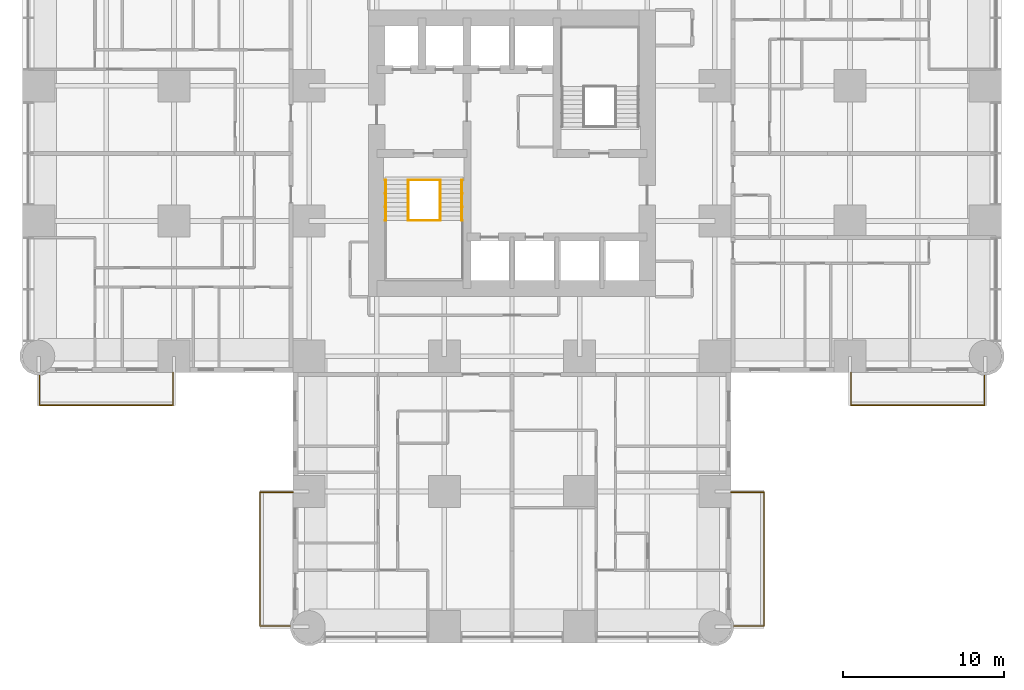
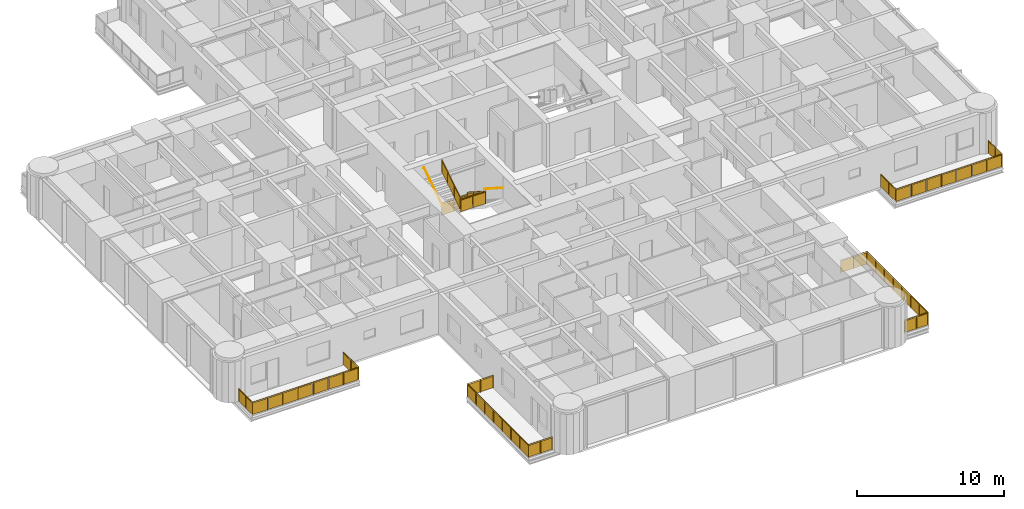
# One storey, part 16 of 17: 10 railings.
"""IFC4 building model written with IfcOpenShell, lengths in metres."""

from ifc_helpers import new_model, si_unit, direction, frame, origin, origin_2d, place, context, subcontext, project, spatial, polyline, circle, outline, extrude, material, constituent, constituent_set, type_object, element, save


model = new_model("IFC4")

# Units and contexts
model_context = context("Model", 3, precision=1e-05, world=origin(), true_north=direction((0.0, 1.0)))
body_context = subcontext(model_context, "Body", "Model", "MODEL_VIEW")
ifc_project = project(units=[si_unit("LENGTHUNIT", "METRE"), si_unit("AREAUNIT", "SQUARE_METRE"), si_unit("VOLUMEUNIT", "CUBIC_METRE"), si_unit("PLANEANGLEUNIT", "RADIAN"), si_unit("MASSUNIT", "GRAM", prefix="KILO")], contexts=[model_context])

# Site, building, storey
site_placement = place(None, origin())
site = spatial("IfcSite", under=ifc_project, at=site_placement, CompositionType="ELEMENT")
building_placement = place(site_placement, origin())
building = spatial("IfcBuilding", under=site, at=building_placement, Name="Torre Alcanfor", CompositionType="ELEMENT")
storey_placement = place(building_placement, frame((0.0, 0.0, 99.300048828125)))
storey = spatial("IfcBuildingStorey", under=building, at=storey_placement, Name="L25", CompositionType="ELEMENT", Elevation=99.300048828125)

# Railings
ifc_material_1 = material(Name="Laminated safety glass", Category="glass")
ifc_constituent_1 = constituent(ifc_material_1, Name="Infill")
ifc_material_2 = material(Name="Stainless steel ASTM A554 Grade MT 316L tube", Category="steel")
ifc_constituent_2 = constituent(ifc_material_2, Name="Posts and rail")
ifc_constituent_set = constituent_set(constituents=[ifc_constituent_1, ifc_constituent_2], Name="Balcony guard glass 1100")
railing_type_1 = type_object("IfcRailingType", Name="Balcony guard glass 1100", PredefinedType="BALUSTRADE", material=ifc_constituent_set)
railing_1_placement = place(storey_placement, frame((50.449951171875, 15.800048828125, 0.0)))
element("IfcRailing", 1, at=railing_1_placement, inside=storey, type_object=railing_type_1, Name="Balcony guard L25-E2", PredefinedType="BALUSTRADE", context=body_context, shape_type="SweptSolid", body=[
    extrude(circle(Radius=0.02392578125, at=origin_2d()), frame((0.0, 0.0, 1.076171875), z_axis=(0.0, -1.0, 0.0), x_axis=(1.0, 0.0, 0.0)), (0.0, 0.0, 1.0), 2.050048828125),
    extrude(circle(Radius=0.02392578125, at=origin_2d()), frame((0.0, -2.050048828125, 1.076171875), z_axis=(1.0, 0.0, 0.0), x_axis=(0.0, 1.0, 0.0)), (0.0, 0.0, 1.0), 8.300048828125),
    extrude(circle(Radius=0.02392578125, at=origin_2d()), frame((8.300048828125, -2.050048828125, 1.076171875), z_axis=(0.0, 1.0, 0.0), x_axis=(-1.0, 0.0, 0.0)), (0.0, 0.0, 1.0), 1.868896484375),
    extrude(circle(Radius=0.02099609375, at=origin_2d()), origin(), (0.0, 0.0, 1.0), 1.052001953125),
    extrude(circle(Radius=0.02099609375, at=origin_2d()), frame((0.0, -1.02490234375, 0.0)), (0.0, 0.0, 1.0), 1.052001953125),
    extrude(circle(Radius=0.02099609375, at=origin_2d()), frame((0.0, -2.050048828125, 0.0)), (0.0, 0.0, 1.0), 1.052001953125),
    extrude(circle(Radius=0.02099609375, at=origin_2d()), frame((1.185791015625, -2.050048828125, 0.0)), (0.0, 0.0, 1.0), 1.052001953125),
    extrude(circle(Radius=0.02099609375, at=origin_2d()), frame((2.371337890625, -2.050048828125, 0.0)), (0.0, 0.0, 1.0), 1.052001953125),
    extrude(circle(Radius=0.02099609375, at=origin_2d()), frame((3.55712890625, -2.050048828125, 0.0)), (0.0, 0.0, 1.0), 1.052001953125),
    extrude(circle(Radius=0.02099609375, at=origin_2d()), frame((4.742919921875, -2.050048828125, 0.0)), (0.0, 0.0, 1.0), 1.052001953125),
    extrude(circle(Radius=0.02099609375, at=origin_2d()), frame((5.9287109375, -2.050048828125, 0.0)), (0.0, 0.0, 1.0), 1.052001953125),
    extrude(circle(Radius=0.02099609375, at=origin_2d()), frame((7.1142578125, -2.050048828125, 0.0)), (0.0, 0.0, 1.0), 1.052001953125),
    extrude(circle(Radius=0.02099609375, at=origin_2d()), frame((8.300048828125, -2.050048828125, 0.0)), (0.0, 0.0, 1.0), 1.052001953125),
    extrude(circle(Radius=0.02099609375, at=origin_2d()), frame((8.300048828125, -1.11572265625, 0.0)), (0.0, 0.0, 1.0), 1.052001953125),
    extrude(circle(Radius=0.02099609375, at=origin_2d()), frame((8.300048828125, -0.18115234375, 0.0)), (0.0, 0.0, 1.0), 1.052001953125),
    extrude(outline(polyline([(0.041015625, 0.050048828125), (0.984130859375, 0.050048828125), (0.984130859375, 1.001953125), (0.041015625, 1.001953125), (0.041015625, 0.050048828125)])), frame((0.005859375, 0.0, 0.0), z_axis=(-1.0, 0.0, 0.0), x_axis=(0.0, -1.0, 0.0)), (0.0, 0.0, 1.0), 0.011962890625),
    extrude(outline(polyline([(1.06591796875, 0.050048828125), (2.009033203125, 0.050048828125), (2.009033203125, 1.001953125), (1.06591796875, 1.001953125), (1.06591796875, 0.050048828125)])), frame((0.005859375, 0.0, 0.0), z_axis=(-1.0, 0.0, 0.0), x_axis=(0.0, -1.0, 0.0)), (0.0, 0.0, 1.0), 0.011962890625),
    extrude(outline(polyline([(0.041015625, 0.050048828125), (1.144775390625, 0.050048828125), (1.144775390625, 1.001953125), (0.041015625, 1.001953125), (0.041015625, 0.050048828125)])), frame((0.0, -2.0439453125, 0.0), z_axis=(0.0, -1.0, 0.0), x_axis=(1.0, 0.0, 0.0)), (0.0, 0.0, 1.0), 0.011962890625),
    extrude(outline(polyline([(1.226806640625, 0.050048828125), (2.330322265625, 0.050048828125), (2.330322265625, 1.001953125), (1.226806640625, 1.001953125), (1.226806640625, 0.050048828125)])), frame((0.0, -2.0439453125, 0.0), z_axis=(0.0, -1.0, 0.0), x_axis=(1.0, 0.0, 0.0)), (0.0, 0.0, 1.0), 0.011962890625),
    extrude(outline(polyline([(2.412353515625, 0.050048828125), (3.51611328125, 0.050048828125), (3.51611328125, 1.001953125), (2.412353515625, 1.001953125), (2.412353515625, 0.050048828125)])), frame((0.0, -2.0439453125, 0.0), z_axis=(0.0, -1.0, 0.0), x_axis=(1.0, 0.0, 0.0)), (0.0, 0.0, 1.0), 0.011962890625),
    extrude(outline(polyline([(3.59814453125, 0.050048828125), (4.701904296875, 0.050048828125), (4.701904296875, 1.001953125), (3.59814453125, 1.001953125), (3.59814453125, 0.050048828125)])), frame((0.0, -2.0439453125, 0.0), z_axis=(0.0, -1.0, 0.0), x_axis=(1.0, 0.0, 0.0)), (0.0, 0.0, 1.0), 0.011962890625),
    extrude(outline(polyline([(4.783935546875, 0.050048828125), (5.8876953125, 0.050048828125), (5.8876953125, 1.001953125), (4.783935546875, 1.001953125), (4.783935546875, 0.050048828125)])), frame((0.0, -2.0439453125, 0.0), z_axis=(0.0, -1.0, 0.0), x_axis=(1.0, 0.0, 0.0)), (0.0, 0.0, 1.0), 0.011962890625),
    extrude(outline(polyline([(5.9697265625, 0.050048828125), (7.0732421875, 0.050048828125), (7.0732421875, 1.001953125), (5.9697265625, 1.001953125), (5.9697265625, 0.050048828125)])), frame((0.0, -2.0439453125, 0.0), z_axis=(0.0, -1.0, 0.0), x_axis=(1.0, 0.0, 0.0)), (0.0, 0.0, 1.0), 0.011962890625),
    extrude(outline(polyline([(7.1552734375, 0.050048828125), (8.259033203125, 0.050048828125), (8.259033203125, 1.001953125), (7.1552734375, 1.001953125), (7.1552734375, 0.050048828125)])), frame((0.0, -2.0439453125, 0.0), z_axis=(0.0, -1.0, 0.0), x_axis=(1.0, 0.0, 0.0)), (0.0, 0.0, 1.0), 0.011962890625),
    extrude(outline(polyline([(0.041015625, 0.050048828125), (0.8935546875, 0.050048828125), (0.8935546875, 1.001953125), (0.041015625, 1.001953125), (0.041015625, 0.050048828125)])), frame((8.2939453125, -2.050048828125, 0.0), z_axis=(1.0, 0.0, 0.0), x_axis=(0.0, 1.0, 0.0)), (0.0, 0.0, 1.0), 0.011962890625),
    extrude(outline(polyline([(0.975341796875, 0.050048828125), (1.827880859375, 0.050048828125), (1.827880859375, 1.001953125), (0.975341796875, 1.001953125), (0.975341796875, 0.050048828125)])), frame((8.2939453125, -2.050048828125, 0.0), z_axis=(1.0, 0.0, 0.0), x_axis=(0.0, 1.0, 0.0)), (0.0, 0.0, 1.0), 0.011962890625),
])
railing_2_placement = place(storey_placement, frame((43.0, 8.35009765625, 0.0)))
element("IfcRailing", 2, at=railing_2_placement, inside=storey, type_object=railing_type_1, Name="Balcony guard L25-S1", PredefinedType="BALUSTRADE", context=body_context, shape_type="SweptSolid", body=[
    extrude(circle(Radius=0.02392578125, at=origin_2d()), frame((0.0, 0.0, 1.076171875), z_axis=(1.0, 0.0, 0.0), x_axis=(0.0, 1.0, 0.0)), (0.0, 0.0, 1.0), 2.050048828125),
    extrude(circle(Radius=0.02392578125, at=origin_2d()), frame((2.050048828125, 0.0, 1.076171875), z_axis=(0.0, -1.0, 0.0), x_axis=(1.0, 0.0, 0.0)), (0.0, 0.0, 1.0), 8.300048828125),
    extrude(circle(Radius=0.02392578125, at=origin_2d()), frame((2.050048828125, -8.300048828125, 1.076171875), z_axis=(-1.0, 0.0, 0.0), x_axis=(0.0, -1.0, 0.0)), (0.0, 0.0, 1.0), 1.869140625),
    extrude(circle(Radius=0.02099609375, at=origin_2d()), origin(), (0.0, 0.0, 1.0), 1.052001953125),
    extrude(circle(Radius=0.02099609375, at=origin_2d()), frame((1.02490234375, 0.0, 0.0)), (0.0, 0.0, 1.0), 1.052001953125),
    extrude(circle(Radius=0.02099609375, at=origin_2d()), frame((2.050048828125, 0.0, 0.0)), (0.0, 0.0, 1.0), 1.052001953125),
    extrude(circle(Radius=0.02099609375, at=origin_2d()), frame((2.050048828125, -1.185791015625, 0.0)), (0.0, 0.0, 1.0), 1.052001953125),
    extrude(circle(Radius=0.02099609375, at=origin_2d()), frame((2.050048828125, -2.371337890625, 0.0)), (0.0, 0.0, 1.0), 1.052001953125),
    extrude(circle(Radius=0.02099609375, at=origin_2d()), frame((2.050048828125, -3.55712890625, 0.0)), (0.0, 0.0, 1.0), 1.052001953125),
    extrude(circle(Radius=0.02099609375, at=origin_2d()), frame((2.050048828125, -4.742919921875, 0.0)), (0.0, 0.0, 1.0), 1.052001953125),
    extrude(circle(Radius=0.02099609375, at=origin_2d()), frame((2.050048828125, -5.9287109375, 0.0)), (0.0, 0.0, 1.0), 1.052001953125),
    extrude(circle(Radius=0.02099609375, at=origin_2d()), frame((2.050048828125, -7.1142578125, 0.0)), (0.0, 0.0, 1.0), 1.052001953125),
    extrude(circle(Radius=0.02099609375, at=origin_2d()), frame((2.050048828125, -8.300048828125, 0.0)), (0.0, 0.0, 1.0), 1.052001953125),
    extrude(circle(Radius=0.02099609375, at=origin_2d()), frame((1.115478515625, -8.300048828125, 0.0)), (0.0, 0.0, 1.0), 1.052001953125),
    extrude(circle(Radius=0.02099609375, at=origin_2d()), frame((0.180908203125, -8.300048828125, 0.0)), (0.0, 0.0, 1.0), 1.052001953125),
    extrude(outline(polyline([(0.041015625, 0.050048828125), (0.984130859375, 0.050048828125), (0.984130859375, 1.001953125), (0.041015625, 1.001953125), (0.041015625, 0.050048828125)])), frame((0.0, 0.005859375, 0.0), z_axis=(0.0, -1.0, 0.0), x_axis=(1.0, 0.0, 0.0)), (0.0, 0.0, 1.0), 0.011962890625),
    extrude(outline(polyline([(1.06591796875, 0.050048828125), (2.009033203125, 0.050048828125), (2.009033203125, 1.001953125), (1.06591796875, 1.001953125), (1.06591796875, 0.050048828125)])), frame((0.0, 0.005859375, 0.0), z_axis=(0.0, -1.0, 0.0), x_axis=(1.0, 0.0, 0.0)), (0.0, 0.0, 1.0), 0.011962890625),
    extrude(outline(polyline([(0.041015625, 0.050048828125), (1.144775390625, 0.050048828125), (1.144775390625, 1.001953125), (0.041015625, 1.001953125), (0.041015625, 0.050048828125)])), frame((2.05615234375, 0.0, 0.0), z_axis=(-1.0, 0.0, 0.0), x_axis=(0.0, -1.0, 0.0)), (0.0, 0.0, 1.0), 0.011962890625),
    extrude(outline(polyline([(1.226806640625, 0.050048828125), (2.330322265625, 0.050048828125), (2.330322265625, 1.001953125), (1.226806640625, 1.001953125), (1.226806640625, 0.050048828125)])), frame((2.05615234375, 0.0, 0.0), z_axis=(-1.0, 0.0, 0.0), x_axis=(0.0, -1.0, 0.0)), (0.0, 0.0, 1.0), 0.011962890625),
    extrude(outline(polyline([(2.412353515625, 0.050048828125), (3.51611328125, 0.050048828125), (3.51611328125, 1.001953125), (2.412353515625, 1.001953125), (2.412353515625, 0.050048828125)])), frame((2.05615234375, 0.0, 0.0), z_axis=(-1.0, 0.0, 0.0), x_axis=(0.0, -1.0, 0.0)), (0.0, 0.0, 1.0), 0.011962890625),
    extrude(outline(polyline([(3.59814453125, 0.050048828125), (4.701904296875, 0.050048828125), (4.701904296875, 1.001953125), (3.59814453125, 1.001953125), (3.59814453125, 0.050048828125)])), frame((2.05615234375, 0.0, 0.0), z_axis=(-1.0, 0.0, 0.0), x_axis=(0.0, -1.0, 0.0)), (0.0, 0.0, 1.0), 0.011962890625),
    extrude(outline(polyline([(4.783935546875, 0.050048828125), (5.8876953125, 0.050048828125), (5.8876953125, 1.001953125), (4.783935546875, 1.001953125), (4.783935546875, 0.050048828125)])), frame((2.05615234375, 0.0, 0.0), z_axis=(-1.0, 0.0, 0.0), x_axis=(0.0, -1.0, 0.0)), (0.0, 0.0, 1.0), 0.011962890625),
    extrude(outline(polyline([(5.9697265625, 0.050048828125), (7.0732421875, 0.050048828125), (7.0732421875, 1.001953125), (5.9697265625, 1.001953125), (5.9697265625, 0.050048828125)])), frame((2.05615234375, 0.0, 0.0), z_axis=(-1.0, 0.0, 0.0), x_axis=(0.0, -1.0, 0.0)), (0.0, 0.0, 1.0), 0.011962890625),
    extrude(outline(polyline([(7.1552734375, 0.050048828125), (8.259033203125, 0.050048828125), (8.259033203125, 1.001953125), (7.1552734375, 1.001953125), (7.1552734375, 0.050048828125)])), frame((2.05615234375, 0.0, 0.0), z_axis=(-1.0, 0.0, 0.0), x_axis=(0.0, -1.0, 0.0)), (0.0, 0.0, 1.0), 0.011962890625),
    extrude(outline(polyline([(0.041015625, 0.050048828125), (0.8935546875, 0.050048828125), (0.8935546875, 1.001953125), (0.041015625, 1.001953125), (0.041015625, 0.050048828125)])), frame((2.050048828125, -8.30615234375, 0.0), z_axis=(0.0, 1.0, 0.0), x_axis=(-1.0, 0.0, 0.0)), (0.0, 0.0, 1.0), 0.011962890625),
    extrude(outline(polyline([(0.9755859375, 0.050048828125), (1.828125, 0.050048828125), (1.828125, 1.001953125), (0.9755859375, 1.001953125), (0.9755859375, 0.050048828125)])), frame((2.050048828125, -8.30615234375, 0.0), z_axis=(0.0, 1.0, 0.0), x_axis=(-1.0, 0.0, 0.0)), (0.0, 0.0, 1.0), 0.011962890625),
])
railing_3_placement = place(storey_placement, frame((15.800048828125, 8.35009765625, 0.0)))
element("IfcRailing", 3, at=railing_3_placement, inside=storey, type_object=railing_type_1, Name="Balcony guard L25-S2", PredefinedType="BALUSTRADE", context=body_context, shape_type="SweptSolid", body=[
    extrude(circle(Radius=0.02392578125, at=origin_2d()), frame((0.0, 0.0, 1.076171875), z_axis=(-1.0, 0.0, 0.0), x_axis=(0.0, -1.0, 0.0)), (0.0, 0.0, 1.0), 2.050048828125),
    extrude(circle(Radius=0.02392578125, at=origin_2d()), frame((-2.050048828125, 0.0, 1.076171875), z_axis=(0.0, -1.0, 0.0), x_axis=(1.0, 0.0, 0.0)), (0.0, 0.0, 1.0), 8.300048828125),
    extrude(circle(Radius=0.02392578125, at=origin_2d()), frame((-2.050048828125, -8.300048828125, 1.076171875), z_axis=(1.0, 0.0, 0.0), x_axis=(0.0, 1.0, 0.0)), (0.0, 0.0, 1.0), 1.868896484375),
    extrude(circle(Radius=0.02099609375, at=origin_2d()), origin(), (0.0, 0.0, 1.0), 1.052001953125),
    extrude(circle(Radius=0.02099609375, at=origin_2d()), frame((-1.02490234375, 0.0, 0.0)), (0.0, 0.0, 1.0), 1.052001953125),
    extrude(circle(Radius=0.02099609375, at=origin_2d()), frame((-2.050048828125, 0.0, 0.0)), (0.0, 0.0, 1.0), 1.052001953125),
    extrude(circle(Radius=0.02099609375, at=origin_2d()), frame((-2.050048828125, -1.185791015625, 0.0)), (0.0, 0.0, 1.0), 1.052001953125),
    extrude(circle(Radius=0.02099609375, at=origin_2d()), frame((-2.050048828125, -2.371337890625, 0.0)), (0.0, 0.0, 1.0), 1.052001953125),
    extrude(circle(Radius=0.02099609375, at=origin_2d()), frame((-2.050048828125, -3.55712890625, 0.0)), (0.0, 0.0, 1.0), 1.052001953125),
    extrude(circle(Radius=0.02099609375, at=origin_2d()), frame((-2.050048828125, -4.742919921875, 0.0)), (0.0, 0.0, 1.0), 1.052001953125),
    extrude(circle(Radius=0.02099609375, at=origin_2d()), frame((-2.050048828125, -5.9287109375, 0.0)), (0.0, 0.0, 1.0), 1.052001953125),
    extrude(circle(Radius=0.02099609375, at=origin_2d()), frame((-2.050048828125, -7.1142578125, 0.0)), (0.0, 0.0, 1.0), 1.052001953125),
    extrude(circle(Radius=0.02099609375, at=origin_2d()), frame((-2.050048828125, -8.300048828125, 0.0)), (0.0, 0.0, 1.0), 1.052001953125),
    extrude(circle(Radius=0.02099609375, at=origin_2d()), frame((-1.11572265625, -8.300048828125, 0.0)), (0.0, 0.0, 1.0), 1.052001953125),
    extrude(circle(Radius=0.02099609375, at=origin_2d()), frame((-0.18115234375, -8.300048828125, 0.0)), (0.0, 0.0, 1.0), 1.052001953125),
    extrude(outline(polyline([(0.041015625, 0.050048828125), (0.984130859375, 0.050048828125), (0.984130859375, 1.001953125), (0.041015625, 1.001953125), (0.041015625, 0.050048828125)])), frame((0.0, -0.005859375, 0.0), z_axis=(0.0, 1.0, 0.0), x_axis=(-1.0, 0.0, 0.0)), (0.0, 0.0, 1.0), 0.011962890625),
    extrude(outline(polyline([(1.06591796875, 0.050048828125), (2.009033203125, 0.050048828125), (2.009033203125, 1.001953125), (1.06591796875, 1.001953125), (1.06591796875, 0.050048828125)])), frame((0.0, -0.005859375, 0.0), z_axis=(0.0, 1.0, 0.0), x_axis=(-1.0, 0.0, 0.0)), (0.0, 0.0, 1.0), 0.011962890625),
    extrude(outline(polyline([(0.041015625, 0.050048828125), (1.144775390625, 0.050048828125), (1.144775390625, 1.001953125), (0.041015625, 1.001953125), (0.041015625, 0.050048828125)])), frame((-2.0439453125, 0.0, 0.0), z_axis=(-1.0, 0.0, 0.0), x_axis=(0.0, -1.0, 0.0)), (0.0, 0.0, 1.0), 0.011962890625),
    extrude(outline(polyline([(1.226806640625, 0.050048828125), (2.330322265625, 0.050048828125), (2.330322265625, 1.001953125), (1.226806640625, 1.001953125), (1.226806640625, 0.050048828125)])), frame((-2.0439453125, 0.0, 0.0), z_axis=(-1.0, 0.0, 0.0), x_axis=(0.0, -1.0, 0.0)), (0.0, 0.0, 1.0), 0.011962890625),
    extrude(outline(polyline([(2.412353515625, 0.050048828125), (3.51611328125, 0.050048828125), (3.51611328125, 1.001953125), (2.412353515625, 1.001953125), (2.412353515625, 0.050048828125)])), frame((-2.0439453125, 0.0, 0.0), z_axis=(-1.0, 0.0, 0.0), x_axis=(0.0, -1.0, 0.0)), (0.0, 0.0, 1.0), 0.011962890625),
    extrude(outline(polyline([(3.59814453125, 0.050048828125), (4.701904296875, 0.050048828125), (4.701904296875, 1.001953125), (3.59814453125, 1.001953125), (3.59814453125, 0.050048828125)])), frame((-2.0439453125, 0.0, 0.0), z_axis=(-1.0, 0.0, 0.0), x_axis=(0.0, -1.0, 0.0)), (0.0, 0.0, 1.0), 0.011962890625),
    extrude(outline(polyline([(4.783935546875, 0.050048828125), (5.8876953125, 0.050048828125), (5.8876953125, 1.001953125), (4.783935546875, 1.001953125), (4.783935546875, 0.050048828125)])), frame((-2.0439453125, 0.0, 0.0), z_axis=(-1.0, 0.0, 0.0), x_axis=(0.0, -1.0, 0.0)), (0.0, 0.0, 1.0), 0.011962890625),
    extrude(outline(polyline([(5.9697265625, 0.050048828125), (7.0732421875, 0.050048828125), (7.0732421875, 1.001953125), (5.9697265625, 1.001953125), (5.9697265625, 0.050048828125)])), frame((-2.0439453125, 0.0, 0.0), z_axis=(-1.0, 0.0, 0.0), x_axis=(0.0, -1.0, 0.0)), (0.0, 0.0, 1.0), 0.011962890625),
    extrude(outline(polyline([(7.1552734375, 0.050048828125), (8.259033203125, 0.050048828125), (8.259033203125, 1.001953125), (7.1552734375, 1.001953125), (7.1552734375, 0.050048828125)])), frame((-2.0439453125, 0.0, 0.0), z_axis=(-1.0, 0.0, 0.0), x_axis=(0.0, -1.0, 0.0)), (0.0, 0.0, 1.0), 0.011962890625),
    extrude(outline(polyline([(0.041015625, 0.050048828125), (0.8935546875, 0.050048828125), (0.8935546875, 1.001953125), (0.041015625, 1.001953125), (0.041015625, 0.050048828125)])), frame((-2.050048828125, -8.2939453125, 0.0), z_axis=(0.0, -1.0, 0.0), x_axis=(1.0, 0.0, 0.0)), (0.0, 0.0, 1.0), 0.011962890625),
    extrude(outline(polyline([(0.975341796875, 0.050048828125), (1.827880859375, 0.050048828125), (1.827880859375, 1.001953125), (0.975341796875, 1.001953125), (0.975341796875, 0.050048828125)])), frame((-2.050048828125, -8.2939453125, 0.0), z_axis=(0.0, -1.0, 0.0), x_axis=(1.0, 0.0, 0.0)), (0.0, 0.0, 1.0), 0.011962890625),
])
railing_4_placement = place(storey_placement, frame((8.35009765625, 15.800048828125, 0.0)))
element("IfcRailing", 4, at=railing_4_placement, inside=storey, type_object=railing_type_1, Name="Balcony guard L25-W1", PredefinedType="BALUSTRADE", context=body_context, shape_type="SweptSolid", body=[
    extrude(circle(Radius=0.02392578125, at=origin_2d()), frame((0.0, 0.0, 1.076171875), z_axis=(0.0, -1.0, 0.0), x_axis=(1.0, 0.0, 0.0)), (0.0, 0.0, 1.0), 2.050048828125),
    extrude(circle(Radius=0.02392578125, at=origin_2d()), frame((0.0, -2.050048828125, 1.076171875), z_axis=(-1.0, 0.0, 0.0), x_axis=(0.0, -1.0, 0.0)), (0.0, 0.0, 1.0), 8.300048828125),
    extrude(circle(Radius=0.02392578125, at=origin_2d()), frame((-8.300048828125, -2.050048828125, 1.076171875), z_axis=(0.0, 1.0, 0.0), x_axis=(-1.0, 0.0, 0.0)), (0.0, 0.0, 1.0), 1.868896484375),
    extrude(circle(Radius=0.02099609375, at=origin_2d()), origin(), (0.0, 0.0, 1.0), 1.052001953125),
    extrude(circle(Radius=0.02099609375, at=origin_2d()), frame((0.0, -1.02490234375, 0.0)), (0.0, 0.0, 1.0), 1.052001953125),
    extrude(circle(Radius=0.02099609375, at=origin_2d()), frame((0.0, -2.050048828125, 0.0)), (0.0, 0.0, 1.0), 1.052001953125),
    extrude(circle(Radius=0.02099609375, at=origin_2d()), frame((-1.185791015625, -2.050048828125, 0.0)), (0.0, 0.0, 1.0), 1.052001953125),
    extrude(circle(Radius=0.02099609375, at=origin_2d()), frame((-2.371337890625, -2.050048828125, 0.0)), (0.0, 0.0, 1.0), 1.052001953125),
    extrude(circle(Radius=0.02099609375, at=origin_2d()), frame((-3.55712890625, -2.050048828125, 0.0)), (0.0, 0.0, 1.0), 1.052001953125),
    extrude(circle(Radius=0.02099609375, at=origin_2d()), frame((-4.742919921875, -2.050048828125, 0.0)), (0.0, 0.0, 1.0), 1.052001953125),
    extrude(circle(Radius=0.02099609375, at=origin_2d()), frame((-5.9287109375, -2.050048828125, 0.0)), (0.0, 0.0, 1.0), 1.052001953125),
    extrude(circle(Radius=0.02099609375, at=origin_2d()), frame((-7.1142578125, -2.050048828125, 0.0)), (0.0, 0.0, 1.0), 1.052001953125),
    extrude(circle(Radius=0.02099609375, at=origin_2d()), frame((-8.300048828125, -2.050048828125, 0.0)), (0.0, 0.0, 1.0), 1.052001953125),
    extrude(circle(Radius=0.02099609375, at=origin_2d()), frame((-8.300048828125, -1.11572265625, 0.0)), (0.0, 0.0, 1.0), 1.052001953125),
    extrude(circle(Radius=0.02099609375, at=origin_2d()), frame((-8.300048828125, -0.18115234375, 0.0)), (0.0, 0.0, 1.0), 1.052001953125),
    extrude(outline(polyline([(0.041015625, 0.050048828125), (0.984130859375, 0.050048828125), (0.984130859375, 1.001953125), (0.041015625, 1.001953125), (0.041015625, 0.050048828125)])), frame((0.005859375, 0.0, 0.0), z_axis=(-1.0, 0.0, 0.0), x_axis=(0.0, -1.0, 0.0)), (0.0, 0.0, 1.0), 0.011962890625),
    extrude(outline(polyline([(1.06591796875, 0.050048828125), (2.009033203125, 0.050048828125), (2.009033203125, 1.001953125), (1.06591796875, 1.001953125), (1.06591796875, 0.050048828125)])), frame((0.005859375, 0.0, 0.0), z_axis=(-1.0, 0.0, 0.0), x_axis=(0.0, -1.0, 0.0)), (0.0, 0.0, 1.0), 0.011962890625),
    extrude(outline(polyline([(0.041015625, 0.050048828125), (1.144775390625, 0.050048828125), (1.144775390625, 1.001953125), (0.041015625, 1.001953125), (0.041015625, 0.050048828125)])), frame((0.0, -2.05615234375, 0.0), z_axis=(0.0, 1.0, 0.0), x_axis=(-1.0, 0.0, 0.0)), (0.0, 0.0, 1.0), 0.011962890625),
    extrude(outline(polyline([(1.226806640625, 0.050048828125), (2.330322265625, 0.050048828125), (2.330322265625, 1.001953125), (1.226806640625, 1.001953125), (1.226806640625, 0.050048828125)])), frame((0.0, -2.05615234375, 0.0), z_axis=(0.0, 1.0, 0.0), x_axis=(-1.0, 0.0, 0.0)), (0.0, 0.0, 1.0), 0.011962890625),
    extrude(outline(polyline([(2.412353515625, 0.050048828125), (3.51611328125, 0.050048828125), (3.51611328125, 1.001953125), (2.412353515625, 1.001953125), (2.412353515625, 0.050048828125)])), frame((0.0, -2.05615234375, 0.0), z_axis=(0.0, 1.0, 0.0), x_axis=(-1.0, 0.0, 0.0)), (0.0, 0.0, 1.0), 0.011962890625),
    extrude(outline(polyline([(3.59814453125, 0.050048828125), (4.701904296875, 0.050048828125), (4.701904296875, 1.001953125), (3.59814453125, 1.001953125), (3.59814453125, 0.050048828125)])), frame((0.0, -2.05615234375, 0.0), z_axis=(0.0, 1.0, 0.0), x_axis=(-1.0, 0.0, 0.0)), (0.0, 0.0, 1.0), 0.011962890625),
    extrude(outline(polyline([(4.783935546875, 0.050048828125), (5.8876953125, 0.050048828125), (5.8876953125, 1.001953125), (4.783935546875, 1.001953125), (4.783935546875, 0.050048828125)])), frame((0.0, -2.05615234375, 0.0), z_axis=(0.0, 1.0, 0.0), x_axis=(-1.0, 0.0, 0.0)), (0.0, 0.0, 1.0), 0.011962890625),
    extrude(outline(polyline([(5.9697265625, 0.050048828125), (7.0732421875, 0.050048828125), (7.0732421875, 1.001953125), (5.9697265625, 1.001953125), (5.9697265625, 0.050048828125)])), frame((0.0, -2.05615234375, 0.0), z_axis=(0.0, 1.0, 0.0), x_axis=(-1.0, 0.0, 0.0)), (0.0, 0.0, 1.0), 0.011962890625),
    extrude(outline(polyline([(7.1552734375, 0.050048828125), (8.259033203125, 0.050048828125), (8.259033203125, 1.001953125), (7.1552734375, 1.001953125), (7.1552734375, 0.050048828125)])), frame((0.0, -2.05615234375, 0.0), z_axis=(0.0, 1.0, 0.0), x_axis=(-1.0, 0.0, 0.0)), (0.0, 0.0, 1.0), 0.011962890625),
    extrude(outline(polyline([(0.041015625, 0.050048828125), (0.8935546875, 0.050048828125), (0.8935546875, 1.001953125), (0.041015625, 1.001953125), (0.041015625, 0.050048828125)])), frame((-8.30615234375, -2.050048828125, 0.0), z_axis=(1.0, 0.0, 0.0), x_axis=(0.0, 1.0, 0.0)), (0.0, 0.0, 1.0), 0.011962890625),
    extrude(outline(polyline([(0.975341796875, 0.050048828125), (1.827880859375, 0.050048828125), (1.827880859375, 1.001953125), (0.975341796875, 1.001953125), (0.975341796875, 0.050048828125)])), frame((-8.30615234375, -2.050048828125, 0.0), z_axis=(1.0, 0.0, 0.0), x_axis=(0.0, 1.0, 0.0)), (0.0, 0.0, 1.0), 0.011962890625),
])
ifc_material_3 = material(Name="Steel ASTM A500 Grade C hollow sections", Category="steel")
railing_type_2 = type_object("IfcRailingType", Name="Stair guard and handrail 1100", PredefinedType="GUARDRAIL", material=ifc_material_3)
railing_5_placement = place(storey_placement, frame((24.949951171875, 27.75, 0.179931640625)))
element("IfcRailing", 5, at=railing_5_placement, inside=storey, type_object=railing_type_2, Name="Stair guard S1 L25 flight 1", PredefinedType="GUARDRAIL", context=body_context, shape_type="SweptSolid", body=[
    extrude(circle(Radius=0.02392578125, at=origin_2d()), frame((0.0, 0.0, 1.076171875), z_axis=(0.0, -0.841162588446, 0.540782303519), x_axis=(1.0, 0.0, 0.0)), (0.0, 0.0, 1.0), 2.995849609375),
    extrude(circle(Radius=0.02099609375, at=origin_2d()), origin(), (0.0, 0.0, 1.0), 1.052001953125),
    extrude(circle(Radius=0.02099609375, at=origin_2d()), frame((0.0, -0.840087890625, 0.5400390625)), (0.0, 0.0, 1.0), 1.052001953125),
    extrude(circle(Radius=0.02099609375, at=origin_2d()), frame((0.0, -1.679931640625, 1.080078125)), (0.0, 0.0, 1.0), 1.052001953125),
    extrude(circle(Radius=0.02099609375, at=origin_2d()), frame((0.0, -2.52001953125, 1.6201171875)), (0.0, 0.0, 1.0), 1.052001953125),
    extrude(outline(polyline([(0.041015625, 0.076416015625), (0.799072265625, 0.563720703125), (0.799072265625, 1.515625), (0.041015625, 1.0283203125), (0.041015625, 0.076416015625)])), frame((0.005859375, 0.0, 0.0), z_axis=(-1.0, 0.0, 0.0), x_axis=(0.0, -1.0, 0.0)), (0.0, 0.0, 1.0), 0.011962890625),
    extrude(outline(polyline([(0.881103515625, 0.616455078125), (1.638916015625, 1.103759765625), (1.638916015625, 2.0556640625), (0.881103515625, 1.568359375), (0.881103515625, 0.616455078125)])), frame((0.005859375, 0.0, 0.0), z_axis=(-1.0, 0.0, 0.0), x_axis=(0.0, -1.0, 0.0)), (0.0, 0.0, 1.0), 0.011962890625),
    extrude(outline(polyline([(1.720947265625, 1.156494140625), (2.47900390625, 1.643798828125), (2.47900390625, 2.595703125), (1.720947265625, 2.1083984375), (1.720947265625, 1.156494140625)])), frame((0.005859375, 0.0, 0.0), z_axis=(-1.0, 0.0, 0.0), x_axis=(0.0, -1.0, 0.0)), (0.0, 0.0, 1.0), 0.011962890625),
])
railing_6_placement = place(storey_placement, frame((22.949951171875, 25.22998046875, 1.97998046875)))
element("IfcRailing", 6, at=railing_6_placement, inside=storey, type_object=railing_type_2, Name="Stair guard S1 L25 flight 2", PredefinedType="GUARDRAIL", context=body_context, shape_type="SweptSolid", body=[
    extrude(circle(Radius=0.02392578125, at=origin_2d()), frame((0.0, 0.0, 1.076171875), z_axis=(0.0, 0.841199657755, 0.540724639528), x_axis=(-1.0, 0.0, 0.0)), (0.0, 0.0, 1.0), 2.995849609375),
    extrude(circle(Radius=0.02099609375, at=origin_2d()), origin(), (0.0, 0.0, 1.0), 1.052001953125),
    extrude(circle(Radius=0.02099609375, at=origin_2d()), frame((0.0, 0.840087890625, 0.5400390625)), (0.0, 0.0, 1.0), 1.052001953125),
    extrude(circle(Radius=0.02099609375, at=origin_2d()), frame((0.0, 1.679931640625, 1.079833984375)), (0.0, 0.0, 1.0), 1.052001953125),
    extrude(circle(Radius=0.02099609375, at=origin_2d()), frame((0.0, 2.52001953125, 1.619873046875)), (0.0, 0.0, 1.0), 1.052001953125),
    extrude(outline(polyline([(0.041015625, 0.076416015625), (0.799072265625, 0.563720703125), (0.799072265625, 1.515625), (0.041015625, 1.0283203125), (0.041015625, 0.076416015625)])), frame((-0.005859375, 0.0, 0.0), z_axis=(1.0, 0.0, 0.0), x_axis=(0.0, 1.0, 0.0)), (0.0, 0.0, 1.0), 0.011962890625),
    extrude(outline(polyline([(0.881103515625, 0.6162109375), (1.638916015625, 1.103515625), (1.638916015625, 2.0556640625), (0.881103515625, 1.568359375), (0.881103515625, 0.6162109375)])), frame((-0.005859375, 0.0, 0.0), z_axis=(1.0, 0.0, 0.0), x_axis=(0.0, 1.0, 0.0)), (0.0, 0.0, 1.0), 0.011962890625),
    extrude(outline(polyline([(1.720947265625, 1.15625), (2.47900390625, 1.6435546875), (2.47900390625, 2.595458984375), (1.720947265625, 2.108154296875), (1.720947265625, 1.15625)])), frame((-0.005859375, 0.0, 0.0), z_axis=(1.0, 0.0, 0.0), x_axis=(0.0, 1.0, 0.0)), (0.0, 0.0, 1.0), 0.011962890625),
])
for number, where, name in (
    (7, (22.949951171875, 27.75, 0.0), "Stair well guard S1 L25 floor landing"),
    (8, (22.949951171875, 25.22998046875, 1.800048828125), "Stair well guard S1 L25 half landing"),
):
    element("IfcRailing", number, at=place(storey_placement, frame(where)), inside=storey, type_object=railing_type_2, Name=name, PredefinedType="GUARDRAIL", context=body_context, shape_type="SweptSolid", body=[
        extrude(circle(Radius=0.02392578125, at=origin_2d()), frame((0.0, 0.0, 1.076171875), z_axis=(1.0, 0.0, 0.0), x_axis=(0.0, 1.0, 0.0)), (0.0, 0.0, 1.0), 2.0),
        extrude(circle(Radius=0.02099609375, at=origin_2d()), origin(), (0.0, 0.0, 1.0), 1.052001953125),
        extrude(circle(Radius=0.02099609375, at=origin_2d()), frame((1.0, 0.0, 0.0)), (0.0, 0.0, 1.0), 1.052001953125),
        extrude(circle(Radius=0.02099609375, at=origin_2d()), frame((2.0, 0.0, 0.0)), (0.0, 0.0, 1.0), 1.052001953125),
        extrude(outline(polyline([(0.041015625, 0.050048828125), (0.958984375, 0.050048828125), (0.958984375, 1.001953125), (0.041015625, 1.001953125), (0.041015625, 0.050048828125)])), frame((0.0, 0.005859375, 0.0), z_axis=(0.0, -1.0, 0.0), x_axis=(1.0, 0.0, 0.0)), (0.0, 0.0, 1.0), 0.011962890625),
        extrude(outline(polyline([(1.041015625, 0.050048828125), (1.958984375, 0.050048828125), (1.958984375, 1.001953125), (1.041015625, 1.001953125), (1.041015625, 0.050048828125)])), frame((0.0, 0.005859375, 0.0), z_axis=(0.0, -1.0, 0.0), x_axis=(1.0, 0.0, 0.0)), (0.0, 0.0, 1.0), 0.011962890625),
    ])
ifc_material_4 = material(Name="Steel ASTM A500 Grade C hollow sections", Category="steel")
railing_type_3 = type_object("IfcRailingType", Name="Stair wall handrail 900", PredefinedType="HANDRAIL", material=ifc_material_4)
railing_7_placement = place(storey_placement, frame((26.284912109375, 27.75, 0.179931640625)))
element("IfcRailing", 9, at=railing_7_placement, inside=storey, type_object=railing_type_3, Name="Stair handrail S1 L25 flight 1", PredefinedType="HANDRAIL", context=body_context, shape_type="SweptSolid", body=[
    extrude(circle(Radius=0.02392578125, at=origin_2d()), frame((0.0, 0.0, 0.8759765625), z_axis=(0.0, -0.841162588446, 0.540782303519), x_axis=(1.0, 0.0, 0.0)), (0.0, 0.0, 1.0), 2.995849609375),
    extrude(circle(Radius=0.008056640625, at=origin_2d()), frame((0.0, 0.0, 0.8759765625), z_axis=(1.0, 0.0, 0.0), x_axis=(0.0, 0.0, 1.0)), (0.0, 0.0, 1.0), 0.06494140625),
    extrude(circle(Radius=0.008056640625, at=origin_2d()), frame((0.0, -0.840087890625, 1.416015625), z_axis=(1.0, 0.0, 0.0), x_axis=(0.0, 0.0, 1.0)), (0.0, 0.0, 1.0), 0.06494140625),
    extrude(circle(Radius=0.008056640625, at=origin_2d()), frame((0.0, -1.679931640625, 1.9560546875), z_axis=(1.0, 0.0, 0.0), x_axis=(0.0, 0.0, 1.0)), (0.0, 0.0, 1.0), 0.06494140625),
    extrude(circle(Radius=0.008056640625, at=origin_2d()), frame((0.0, -2.52001953125, 2.49609375), z_axis=(1.0, 0.0, 0.0), x_axis=(0.0, 0.0, 1.0)), (0.0, 0.0, 1.0), 0.06494140625),
])
railing_8_placement = place(storey_placement, frame((21.56494140625, 25.22998046875, 1.97998046875)))
element("IfcRailing", 10, at=railing_8_placement, inside=storey, type_object=railing_type_3, Name="Stair handrail S1 L25 flight 2", PredefinedType="HANDRAIL", context=body_context, shape_type="SweptSolid", body=[
    extrude(circle(Radius=0.02392578125, at=origin_2d()), frame((0.0, 0.0, 0.8759765625), z_axis=(0.0, 0.841199657755, 0.540724639528), x_axis=(-1.0, 0.0, 0.0)), (0.0, 0.0, 1.0), 2.995849609375),
    extrude(circle(Radius=0.008056640625, at=origin_2d()), frame((0.0, 0.0, 0.8759765625), z_axis=(-1.0, 0.0, 0.0), x_axis=(0.0, 0.0, 1.0)), (0.0, 0.0, 1.0), 0.06494140625),
    extrude(circle(Radius=0.008056640625, at=origin_2d()), frame((0.0, 0.840087890625, 1.415771484375), z_axis=(-1.0, 0.0, 0.0), x_axis=(0.0, 0.0, 1.0)), (0.0, 0.0, 1.0), 0.06494140625),
    extrude(circle(Radius=0.008056640625, at=origin_2d()), frame((0.0, 1.679931640625, 1.955810546875), z_axis=(-1.0, 0.0, 0.0), x_axis=(0.0, 0.0, 1.0)), (0.0, 0.0, 1.0), 0.06494140625),
    extrude(circle(Radius=0.008056640625, at=origin_2d()), frame((0.0, 2.52001953125, 2.49560546875), z_axis=(-1.0, 0.0, 0.0), x_axis=(0.0, 0.0, 1.0)), (0.0, 0.0, 1.0), 0.06494140625),
])

save(model, "model.ifc")
